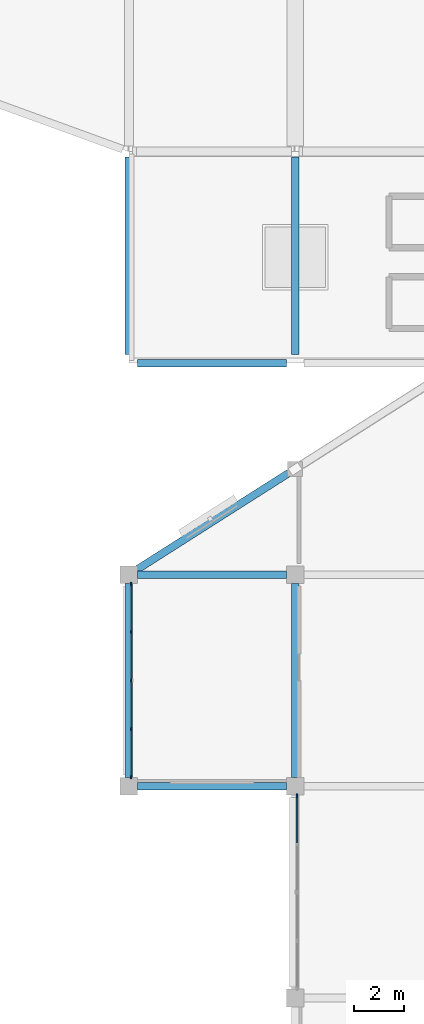
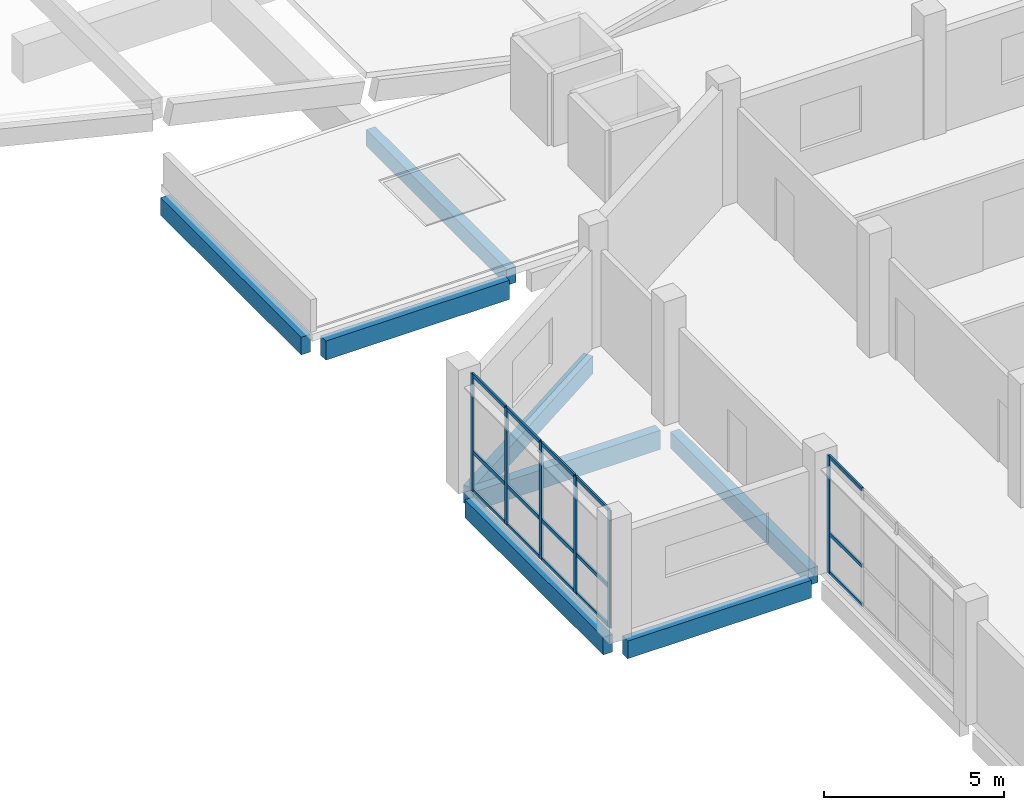
# One storey, part 18 of 47: 21 members, 8 beams, 2 elements without a shape of their own.
"""IFC4 building model written with IfcOpenShell, lengths in metres."""

from ifc_helpers import new_model, si_unit, direction, frame, origin, origin_2d, place, context, subcontext, project, spatial, rectangle, extrude, material, material_profile, profile_set, type_object, element, aggregate, save


model = new_model("IFC4")

# Units and contexts
model_context = context("Model", 3, precision=1e-05, world=origin(), true_north=direction((0.0, 1.0)))
body_context = subcontext(model_context, "Body", "Model", "MODEL_VIEW")
ifc_project = project(units=[si_unit("LENGTHUNIT", "METRE"), si_unit("AREAUNIT", "SQUARE_METRE"), si_unit("VOLUMEUNIT", "CUBIC_METRE"), si_unit("PLANEANGLEUNIT", "RADIAN"), si_unit("MASSUNIT", "GRAM", prefix="KILO")], contexts=[model_context])

# Site, building, storey
site_placement = place(None, origin())
site = spatial("IfcSite", under=ifc_project, at=site_placement, CompositionType="ELEMENT")
building_placement = place(site_placement, origin())
building = spatial("IfcBuilding", under=site, at=building_placement, Name="Qaldarim Faculty of Natural and Applied Sciences", CompositionType="ELEMENT")
storey_placement = place(building_placement, frame((0.0, 0.0, 22.800048828125)))
storey = spatial("IfcBuildingStorey", under=building, at=storey_placement, Name="L05", CompositionType="ELEMENT", Elevation=22.800048828125)

# Beams
ifc_material_1 = material(Name="Concrete C40/50", Category="concrete")
ifc_material_profile_1 = material_profile(ifc_material_1, rectangle(XDim=0.300048828125, YDim=0.550048828125, at=origin_2d()), Name="RC-B300x550")
ifc_profile_set_1 = profile_set([ifc_material_profile_1], Name="Concrete C40/50")
beam_type_1 = type_object("IfcBeamType", Name="FloorBeam-RC300x550", PredefinedType="BEAM", material=ifc_profile_set_1)
beam_1_placement = place(storey_placement, frame((158.39990234375, 42.35009765625, -0.53515625), z_axis=(0.0, 1.0, 0.0), x_axis=(-1.0, 0.0, 0.0)))
element("IfcBeam", 1, at=beam_1_placement, inside=storey, type_object=beam_type_1, Name="Beam RC-B300x550 L04 X25/Y06-Y07", PredefinedType="BEAM", context=body_context, shape_type="SweptSolid", body=[
    extrude(rectangle(XDim=0.300048828125, YDim=0.550048828125, at=origin_2d()), origin(), (0.0, 0.0, 1.0), 7.699951171875),
])
beam_2_placement = place(storey_placement, frame((158.39990234375, 59.14990234375, -0.53515625), z_axis=(0.0, 1.0, 0.0), x_axis=(-1.0, 0.0, 0.0)))
element("IfcBeam", 2, at=beam_2_placement, inside=storey, type_object=beam_type_1, Name="Beam RC-B300x550 L04 X25/Y08-Y09", PredefinedType="BEAM", context=body_context, shape_type="SweptSolid", body=[
    extrude(rectangle(XDim=0.300048828125, YDim=0.550048828125, at=origin_2d()), origin(), (0.0, 0.0, 1.0), 7.8251953125),
])

# Curtain wall, members
ifc_material_2 = material(Name="Anodised aluminium AW-6063", Category="aluminium")
curtain_wall_type = type_object("IfcCurtainWallType", Name="CurtainWallSystem-M1800", PredefinedType="USERDEFINED", material=ifc_material_2)
curtain_wall_1_placement = place(storey_placement, origin())
curtain_wall_1 = element("IfcCurtainWall", 3, at=curtain_wall_1_placement, inside=storey, type_object=curtain_wall_type, Name="Curtain wall CW-L05-W-X24Y06", ObjectType="UNITISED FACADE", PredefinedType="USERDEFINED")
ifc_material_profile_2 = material_profile(ifc_material_2, rectangle(XDim=0.06005859375, YDim=0.14990234375, at=origin_2d()), Name="ALU-M60x150")
ifc_profile_set_2 = profile_set([ifc_material_profile_2], Name="Anodised aluminium AW-6063")
member_type_1 = type_object("IfcMemberType", Name="Mullion-ALU60x150", PredefinedType="MULLION", material=ifc_profile_set_2)
member_1_placement = place(storey_placement, frame((151.8798828125, 50.02490234375, 0.0), z_axis=(0.0, 0.0, 1.0), x_axis=(1.0, 0.0, 0.0)))
member_1 = element("IfcMember", 4, at=member_1_placement, type_object=member_type_1, Name="Mullion 1 of CW-L05-W-X24Y06", PredefinedType="MULLION", context=body_context, shape_type="SweptSolid", body=[
    extrude(rectangle(XDim=0.06005859375, YDim=0.14990234375, at=origin_2d()), origin(), (0.0, 0.0, 1.0), 3.97998046875),
])
member_2_placement = place(storey_placement, frame((151.8798828125, 48.12744140625, 0.0), z_axis=(0.0, 0.0, 1.0), x_axis=(1.0, 0.0, 0.0)))
member_2 = element("IfcMember", 5, at=member_2_placement, type_object=member_type_1, Name="Mullion 2 of CW-L05-W-X24Y06", PredefinedType="MULLION", context=body_context, shape_type="SweptSolid", body=[
    extrude(rectangle(XDim=0.06005859375, YDim=0.14990234375, at=origin_2d()), origin(), (0.0, 0.0, 1.0), 3.97998046875),
])
member_3_placement = place(storey_placement, frame((151.8798828125, 46.199951171875, 0.0), z_axis=(0.0, 0.0, 1.0), x_axis=(1.0, 0.0, 0.0)))
member_3 = element("IfcMember", 6, at=member_3_placement, type_object=member_type_1, Name="Mullion 3 of CW-L05-W-X24Y06", PredefinedType="MULLION", context=body_context, shape_type="SweptSolid", body=[
    extrude(rectangle(XDim=0.06005859375, YDim=0.14990234375, at=origin_2d()), origin(), (0.0, 0.0, 1.0), 3.97998046875),
])
member_4_placement = place(storey_placement, frame((151.8798828125, 44.2724609375, 0.0), z_axis=(0.0, 0.0, 1.0), x_axis=(1.0, 0.0, 0.0)))
member_4 = element("IfcMember", 7, at=member_4_placement, type_object=member_type_1, Name="Mullion 4 of CW-L05-W-X24Y06", PredefinedType="MULLION", context=body_context, shape_type="SweptSolid", body=[
    extrude(rectangle(XDim=0.06005859375, YDim=0.14990234375, at=origin_2d()), origin(), (0.0, 0.0, 1.0), 3.97998046875),
])
member_5_placement = place(storey_placement, frame((151.8798828125, 42.375, 0.0), z_axis=(0.0, 0.0, 1.0), x_axis=(1.0, 0.0, 0.0)))
member_5 = element("IfcMember", 8, at=member_5_placement, type_object=member_type_1, Name="Mullion 5 of CW-L05-W-X24Y06", PredefinedType="MULLION", context=body_context, shape_type="SweptSolid", body=[
    extrude(rectangle(XDim=0.06005859375, YDim=0.14990234375, at=origin_2d()), origin(), (0.0, 0.0, 1.0), 3.97998046875),
])

# Curtain wall, member
curtain_wall_2_placement = place(storey_placement, origin())
curtain_wall_2 = element("IfcCurtainWall", 9, at=curtain_wall_2_placement, inside=storey, type_object=curtain_wall_type, Name="Curtain wall CW-L05-W-X25Y05", ObjectType="UNITISED FACADE", PredefinedType="USERDEFINED")
member_6_placement = place(storey_placement, frame((158.47998046875, 41.625, 0.0), z_axis=(0.0, 0.0, 1.0), x_axis=(1.0, 0.0, 0.0)))
member_6 = element("IfcMember", 10, at=member_6_placement, type_object=member_type_1, Name="Mullion 1 of CW-L05-W-X25Y05", PredefinedType="MULLION", context=body_context, shape_type="SweptSolid", body=[
    extrude(rectangle(XDim=0.06005859375, YDim=0.14990234375, at=origin_2d()), origin(), (0.0, 0.0, 1.0), 3.97998046875),
])

# Beams
ifc_material_profile_3 = material_profile(ifc_material_1, rectangle(XDim=0.300048828125, YDim=0.64990234375, at=origin_2d()), Name="RC-B300x650")
ifc_profile_set_3 = profile_set([ifc_material_profile_3], Name="Concrete C40/50")
beam_type_2 = type_object("IfcBeamType", Name="PrimaryBeam-RC300x650", PredefinedType="BEAM", material=ifc_profile_set_3)
for number, where, z_axis, x_axis, name in (
    (11, (152.14990234375, 50.39990234375, -0.5849609375), (1.0, 0.0, 0.0), (0.0, 1.0, 0.0), "Beam RC-B300x650 L04 X24-X25/Y07"),
    (12, (152.14990234375, 58.800048828125, -0.5849609375), (1.0, 0.0, 0.0), (0.0, 1.0, 0.0), "Beam RC-B300x650 L04 X24-X25/Y08"),
):
    element("IfcBeam", number, at=place(storey_placement, frame(where, z_axis=z_axis, x_axis=x_axis)), inside=storey, type_object=beam_type_2, Name=name, PredefinedType="BEAM", context=body_context, shape_type="SweptSolid", body=[
        extrude(rectangle(XDim=0.300048828125, YDim=0.64990234375, at=origin_2d()), origin(), (0.0, 0.0, 1.0), 5.900146484375),
    ])
ifc_material_3 = material(Name="Precast concrete C40/50", Category="concrete")
ifc_material_profile_4 = material_profile(ifc_material_3, rectangle(XDim=0.300048828125, YDim=0.60009765625, at=origin_2d()), Name="RC-SP300x600")
ifc_profile_set_4 = profile_set([ifc_material_profile_4], Name="Precast concrete C40/50")
beam_type_3 = type_object("IfcBeamType", Name="SpandrelBeam-RC300x600", PredefinedType="SPANDREL", material=ifc_profile_set_4)
beam_3_placement = place(storey_placement, frame((152.14990234375, 42.0, -0.56005859375), z_axis=(1.0, 0.0, 0.0), x_axis=(0.0, 1.0, 0.0)))
element("IfcBeam", 13, at=beam_3_placement, inside=storey, type_object=beam_type_3, Name="Beam RC-SP300x600 L04 X24-X25/Y06", PredefinedType="SPANDREL", context=body_context, shape_type="SweptSolid", body=[
    extrude(rectangle(XDim=0.300048828125, YDim=0.60009765625, at=origin_2d()), origin(), (0.0, 0.0, 1.0), 5.900146484375),
])
beam_4_placement = place(storey_placement, frame((151.800048828125, 42.35009765625, -0.56005859375), z_axis=(0.0, 1.0, 0.0), x_axis=(-1.0, 0.0, 0.0)))
element("IfcBeam", 14, at=beam_4_placement, inside=storey, type_object=beam_type_3, Name="Beam RC-SP300x600 L04 X24/Y06-Y07", PredefinedType="SPANDREL", context=body_context, shape_type="SweptSolid", body=[
    extrude(rectangle(XDim=0.300048828125, YDim=0.60009765625, at=origin_2d()), origin(), (0.0, 0.0, 1.0), 7.699951171875),
])
beam_5_placement = place(storey_placement, frame((151.800048828125, 59.14990234375, -0.56005859375), z_axis=(0.0, 1.0, 0.0), x_axis=(-1.0, 0.0, 0.0)))
element("IfcBeam", 15, at=beam_5_placement, inside=storey, type_object=beam_type_3, Name="Beam RC-SP300x600 L04 X24/Y08-Y09", PredefinedType="SPANDREL", context=body_context, shape_type="SweptSolid", body=[
    extrude(rectangle(XDim=0.300048828125, YDim=0.60009765625, at=origin_2d()), origin(), (0.0, 0.0, 1.0), 7.8251953125),
])
beam_6_placement = place(storey_placement, frame((152.050048828125, 50.56005859375, -0.56005859375), z_axis=(0.843776886751, 0.536694107835, 0.0), x_axis=(-0.536694107835, 0.843776886751, 0.0)))
element("IfcBeam", 16, at=beam_6_placement, inside=storey, type_object=beam_type_3, Name="Oblique NW chamfer spandrel L04 1", PredefinedType="SPANDREL", context=body_context, shape_type="SweptSolid", body=[
    extrude(rectangle(XDim=0.300048828125, YDim=0.60009765625, at=origin_2d()), origin(), (0.0, 0.0, 1.0), 7.229248046875),
])

# Member
ifc_material_profile_5 = material_profile(ifc_material_2, rectangle(XDim=0.06005859375, YDim=0.1201171875, at=origin_2d()), Name="ALU-T60x120")
ifc_profile_set_5 = profile_set([ifc_material_profile_5], Name="Anodised aluminium AW-6063")
member_type_2 = type_object("IfcMemberType", Name="Transom-ALU60x120", PredefinedType="USERDEFINED", material=ifc_profile_set_5)
member_7_placement = place(storey_placement, frame((151.8798828125, 49.9951171875, 0.030029296875), z_axis=(0.0, -1.0, 0.0), x_axis=(1.0, 0.0, 0.0)))
member_7 = element("IfcMember", 17, at=member_7_placement, type_object=member_type_2, Name="Transom 1-1 of CW-L05-W-X24Y06", ObjectType="TRANSOM", PredefinedType="USERDEFINED", context=body_context, shape_type="SweptSolid", body=[
    extrude(rectangle(XDim=0.06005859375, YDim=0.1201171875, at=origin_2d()), origin(), (0.0, 0.0, 1.0), 1.837646484375),
])

member_8_placement = place(storey_placement, frame((151.8798828125, 49.9951171875, 1.349853515625), z_axis=(0.0, -1.0, 0.0), x_axis=(1.0, 0.0, 0.0)))
member_8 = element("IfcMember", 18, at=member_8_placement, type_object=member_type_2, Name="Transom 1-2 of CW-L05-W-X24Y06", ObjectType="TRANSOM", PredefinedType="USERDEFINED", context=body_context, shape_type="SweptSolid", body=[
    extrude(rectangle(XDim=0.06005859375, YDim=0.1201171875, at=origin_2d()), origin(), (0.0, 0.0, 1.0), 1.837646484375),
])

member_9_placement = place(storey_placement, frame((151.8798828125, 49.9951171875, 3.949951171875), z_axis=(0.0, -1.0, 0.0), x_axis=(1.0, 0.0, 0.0)))
member_9 = element("IfcMember", 19, at=member_9_placement, type_object=member_type_2, Name="Transom 1-3 of CW-L05-W-X24Y06", ObjectType="TRANSOM", PredefinedType="USERDEFINED", context=body_context, shape_type="SweptSolid", body=[
    extrude(rectangle(XDim=0.06005859375, YDim=0.1201171875, at=origin_2d()), origin(), (0.0, 0.0, 1.0), 1.837646484375),
])

member_10_placement = place(storey_placement, frame((151.8798828125, 48.097412109375, 0.030029296875), z_axis=(0.0, -1.0, 0.0), x_axis=(1.0, 0.0, 0.0)))
member_10 = element("IfcMember", 20, at=member_10_placement, type_object=member_type_2, Name="Transom 2-1 of CW-L05-W-X24Y06", ObjectType="TRANSOM", PredefinedType="USERDEFINED", context=body_context, shape_type="SweptSolid", body=[
    extrude(rectangle(XDim=0.06005859375, YDim=0.1201171875, at=origin_2d()), origin(), (0.0, 0.0, 1.0), 1.867431640625),
])

member_11_placement = place(storey_placement, frame((151.8798828125, 48.097412109375, 1.349853515625), z_axis=(0.0, -1.0, 0.0), x_axis=(1.0, 0.0, 0.0)))
member_11 = element("IfcMember", 21, at=member_11_placement, type_object=member_type_2, Name="Transom 2-2 of CW-L05-W-X24Y06", ObjectType="TRANSOM", PredefinedType="USERDEFINED", context=body_context, shape_type="SweptSolid", body=[
    extrude(rectangle(XDim=0.06005859375, YDim=0.1201171875, at=origin_2d()), origin(), (0.0, 0.0, 1.0), 1.867431640625),
])

member_12_placement = place(storey_placement, frame((151.8798828125, 48.097412109375, 3.949951171875), z_axis=(0.0, -1.0, 0.0), x_axis=(1.0, 0.0, 0.0)))
member_12 = element("IfcMember", 22, at=member_12_placement, type_object=member_type_2, Name="Transom 2-3 of CW-L05-W-X24Y06", ObjectType="TRANSOM", PredefinedType="USERDEFINED", context=body_context, shape_type="SweptSolid", body=[
    extrude(rectangle(XDim=0.06005859375, YDim=0.1201171875, at=origin_2d()), origin(), (0.0, 0.0, 1.0), 1.867431640625),
])

member_13_placement = place(storey_placement, frame((151.8798828125, 46.169921875, 0.030029296875), z_axis=(0.0, -1.0, 0.0), x_axis=(1.0, 0.0, 0.0)))
member_13 = element("IfcMember", 23, at=member_13_placement, type_object=member_type_2, Name="Transom 3-1 of CW-L05-W-X24Y06", ObjectType="TRANSOM", PredefinedType="USERDEFINED", context=body_context, shape_type="SweptSolid", body=[
    extrude(rectangle(XDim=0.06005859375, YDim=0.1201171875, at=origin_2d()), origin(), (0.0, 0.0, 1.0), 1.867431640625),
])

member_14_placement = place(storey_placement, frame((151.8798828125, 46.169921875, 1.349853515625), z_axis=(0.0, -1.0, 0.0), x_axis=(1.0, 0.0, 0.0)))
member_14 = element("IfcMember", 24, at=member_14_placement, type_object=member_type_2, Name="Transom 3-2 of CW-L05-W-X24Y06", ObjectType="TRANSOM", PredefinedType="USERDEFINED", context=body_context, shape_type="SweptSolid", body=[
    extrude(rectangle(XDim=0.06005859375, YDim=0.1201171875, at=origin_2d()), origin(), (0.0, 0.0, 1.0), 1.867431640625),
])

member_15_placement = place(storey_placement, frame((151.8798828125, 46.169921875, 3.949951171875), z_axis=(0.0, -1.0, 0.0), x_axis=(1.0, 0.0, 0.0)))
member_15 = element("IfcMember", 25, at=member_15_placement, type_object=member_type_2, Name="Transom 3-3 of CW-L05-W-X24Y06", ObjectType="TRANSOM", PredefinedType="USERDEFINED", context=body_context, shape_type="SweptSolid", body=[
    extrude(rectangle(XDim=0.06005859375, YDim=0.1201171875, at=origin_2d()), origin(), (0.0, 0.0, 1.0), 1.867431640625),
])

member_16_placement = place(storey_placement, frame((151.8798828125, 44.242431640625, 0.030029296875), z_axis=(0.0, -1.0, 0.0), x_axis=(1.0, 0.0, 0.0)))
member_16 = element("IfcMember", 26, at=member_16_placement, type_object=member_type_2, Name="Transom 4-1 of CW-L05-W-X24Y06", ObjectType="TRANSOM", PredefinedType="USERDEFINED", context=body_context, shape_type="SweptSolid", body=[
    extrude(rectangle(XDim=0.06005859375, YDim=0.1201171875, at=origin_2d()), origin(), (0.0, 0.0, 1.0), 1.83740234375),
])

member_17_placement = place(storey_placement, frame((151.8798828125, 44.242431640625, 1.349853515625), z_axis=(0.0, -1.0, 0.0), x_axis=(1.0, 0.0, 0.0)))
member_17 = element("IfcMember", 27, at=member_17_placement, type_object=member_type_2, Name="Transom 4-2 of CW-L05-W-X24Y06", ObjectType="TRANSOM", PredefinedType="USERDEFINED", context=body_context, shape_type="SweptSolid", body=[
    extrude(rectangle(XDim=0.06005859375, YDim=0.1201171875, at=origin_2d()), origin(), (0.0, 0.0, 1.0), 1.83740234375),
])

member_18_placement = place(storey_placement, frame((151.8798828125, 44.242431640625, 3.949951171875), z_axis=(0.0, -1.0, 0.0), x_axis=(1.0, 0.0, 0.0)))
member_18 = element("IfcMember", 28, at=member_18_placement, type_object=member_type_2, Name="Transom 4-3 of CW-L05-W-X24Y06", ObjectType="TRANSOM", PredefinedType="USERDEFINED", context=body_context, shape_type="SweptSolid", body=[
    extrude(rectangle(XDim=0.06005859375, YDim=0.1201171875, at=origin_2d()), origin(), (0.0, 0.0, 1.0), 1.83740234375),
])

aggregate(curtain_wall_1, [member_1, member_2, member_3, member_4, member_5, member_7, member_8, member_9, member_10, member_11, member_12, member_13, member_14, member_15, member_16, member_17, member_18])

member_19_placement = place(storey_placement, frame((158.47998046875, 41.594970703125, 0.030029296875), z_axis=(0.0, -1.0, 0.0), x_axis=(1.0, 0.0, 0.0)))
member_19 = element("IfcMember", 29, at=member_19_placement, type_object=member_type_2, Name="Transom 1-1 of CW-L05-W-X25Y05", ObjectType="TRANSOM", PredefinedType="USERDEFINED", context=body_context, shape_type="SweptSolid", body=[
    extrude(rectangle(XDim=0.06005859375, YDim=0.1201171875, at=origin_2d()), origin(), (0.0, 0.0, 1.0), 1.83740234375),
])

member_20_placement = place(storey_placement, frame((158.47998046875, 41.594970703125, 1.349853515625), z_axis=(0.0, -1.0, 0.0), x_axis=(1.0, 0.0, 0.0)))
member_20 = element("IfcMember", 30, at=member_20_placement, type_object=member_type_2, Name="Transom 1-2 of CW-L05-W-X25Y05", ObjectType="TRANSOM", PredefinedType="USERDEFINED", context=body_context, shape_type="SweptSolid", body=[
    extrude(rectangle(XDim=0.06005859375, YDim=0.1201171875, at=origin_2d()), origin(), (0.0, 0.0, 1.0), 1.83740234375),
])

member_21_placement = place(storey_placement, frame((158.47998046875, 41.594970703125, 3.949951171875), z_axis=(0.0, -1.0, 0.0), x_axis=(1.0, 0.0, 0.0)))
member_21 = element("IfcMember", 31, at=member_21_placement, type_object=member_type_2, Name="Transom 1-3 of CW-L05-W-X25Y05", ObjectType="TRANSOM", PredefinedType="USERDEFINED", context=body_context, shape_type="SweptSolid", body=[
    extrude(rectangle(XDim=0.06005859375, YDim=0.1201171875, at=origin_2d()), origin(), (0.0, 0.0, 1.0), 1.83740234375),
])

aggregate(curtain_wall_2, [member_6, member_19, member_20, member_21])

save(model, "model.ifc")
